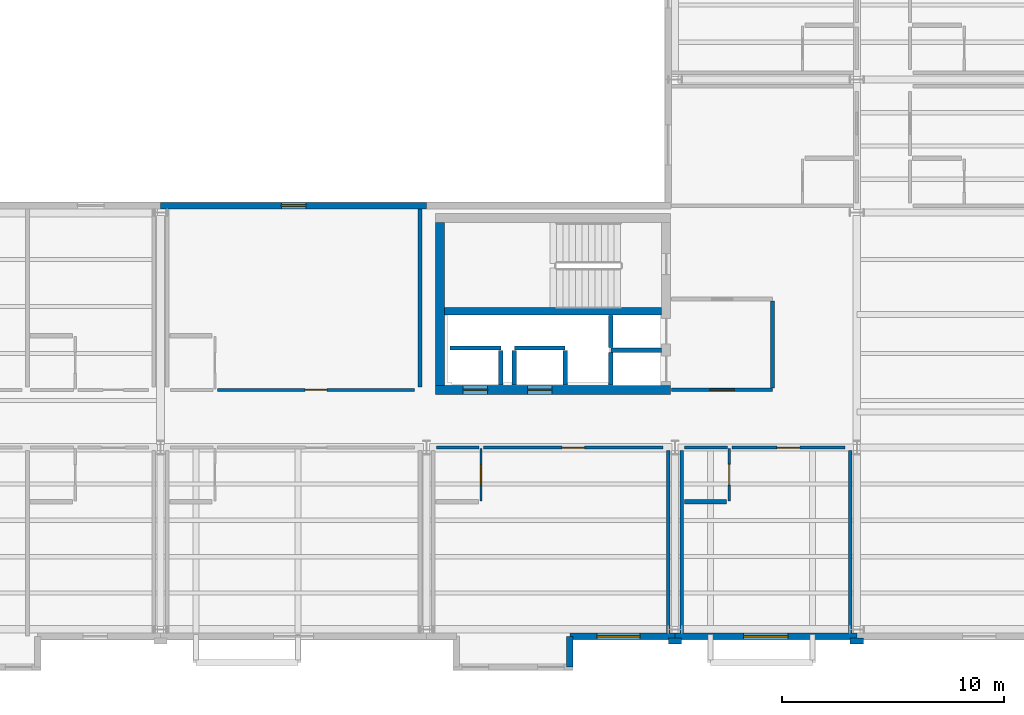
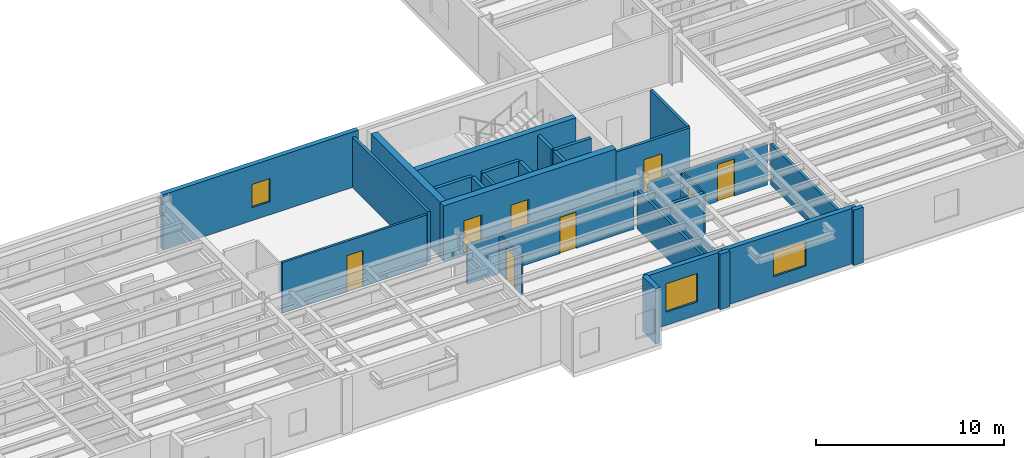
# One storey, part 18 of 27: 31 walls, 8 doors, 3 windows, 11 openings.
"""IFC4 building model written with IfcOpenShell, lengths in metres."""

from ifc_helpers import new_model, si_unit, direction, frame, frame_2d, origin, place, context, subcontext, project, spatial, rectangle, extrude, material, layer, layer_set, type_object, element, fill, save


model = new_model("IFC4")

# Units and contexts
model_context = context("Model", 3, precision=1e-05, world=origin(), true_north=direction((0.0, 1.0)))
body_context = subcontext(model_context, "Body", "Model", "MODEL_VIEW")
ifc_project = project(units=[si_unit("LENGTHUNIT", "METRE"), si_unit("AREAUNIT", "SQUARE_METRE"), si_unit("VOLUMEUNIT", "CUBIC_METRE"), si_unit("PLANEANGLEUNIT", "RADIAN"), si_unit("MASSUNIT", "GRAM", prefix="KILO")], contexts=[model_context])

# Site, building, storey
site_placement = place(None, origin())
site = spatial("IfcSite", under=ifc_project, at=site_placement, CompositionType="ELEMENT")
building_placement = place(site_placement, origin())
building = spatial("IfcBuilding", under=site, at=building_placement, Name="Sollismere Congress Hotel", CompositionType="ELEMENT")
storey_placement = place(building_placement, frame((0.0, 0.0, 27.0)))
storey = spatial("IfcBuildingStorey", under=building, at=storey_placement, Name="L06", CompositionType="ELEMENT", Elevation=27.0)

# Wall, opening, window
ifc_material_1 = material(Name="Colorado Buff Sandstone Rainscreen on Insulated Backup", Category="masonry")
ifc_layer_1 = layer(ifc_material_1, 0.284912109375, Name="Colorado Buff Sandstone Rainscreen on Insulated Backup")
ifc_layer_set_1 = layer_set([ifc_layer_1], Name="Colorado Buff Sandstone Rainscreen on Insulated Backup")
wall_type_1 = type_object("IfcWallType", Name="WL-EXT285", PredefinedType="STANDARD", material=ifc_layer_set_1)
wall_1_placement = place(storey_placement, frame((142.4599609375, -0.31005859375, 0.0), z_axis=(0.0, 0.0, 1.0), x_axis=(1.0, 0.0, 0.0)))
wall_1 = element("IfcWall", 1, at=wall_1_placement, inside=storey, type_object=wall_type_1, Name="Exterior wall EW-L06-686", PredefinedType="STANDARD", context=body_context, shape_type="SweptSolid", body=[
    extrude(rectangle(XDim=4.739990234375, YDim=0.284912109375, at=frame_2d((2.3701171875, 0.0))), origin(), (0.0, 0.0, 1.0), 3.60009765625),
])
opening_1_placement = place(wall_1_placement, frame((1.219970703125, 0.0, 0.85009765625)))
opening_1 = element("IfcOpeningElement", 2, at=opening_1_placement, cuts=wall_1, Name="Opening W-L06-506", PredefinedType="OPENING", context=body_context, shape_type="SweptSolid", body=[
    extrude(rectangle(XDim=1.949951171875, YDim=1.85009765625, at=frame_2d((0.97509765625, 0.925048828125))), frame((0.0, 0.15234375, 0.0), z_axis=(0.0, -1.0, 0.0), x_axis=(1.0, 0.0, 0.0)), (0.0, 0.0, 1.0), 0.304931640625),
])
ifc_material_2 = material(Name="Thermally Broken Bronze Aluminum & Low-E Glass", Category="aluminium")
window_type_1 = type_object("IfcWindowType", Name="WN-P195x185", PartitioningType="SINGLE_PANEL", PredefinedType="WINDOW", material=ifc_material_2)
window_1_placement = place(opening_1_placement, origin())
window_1 = element("IfcWindow", 3, at=window_1_placement, inside=storey, type_object=window_type_1, Name="WIN-W-L06-506", OverallHeight=1.85009765625, OverallWidth=1.949951171875, PartitioningType="SINGLE_PANEL", PredefinedType="WINDOW", context=body_context, shape_type="SweptSolid", body=[
    extrude(rectangle(XDim=1.949951171875, YDim=1.85009765625, at=frame_2d((0.97509765625, 0.925048828125))), frame((0.0, 0.030029296875, 0.0), z_axis=(0.0, -1.0, 0.0), x_axis=(1.0, 0.0, 0.0)), (0.0, 0.0, 1.0), 0.06005859375),
])
fill(opening_1, window_1)

# Wall
wall_2_placement = place(storey_placement, frame((142.4599609375, -1.699951171875, 0.0), z_axis=(0.0, 0.0, 1.0), x_axis=(0.0, 1.0, 0.0)))
element("IfcWall", 4, at=wall_2_placement, inside=storey, type_object=wall_type_1, Name="Exterior wall EW-L06-689", PredefinedType="STANDARD", context=body_context, shape_type="SweptSolid", body=[
    extrude(rectangle(XDim=1.389892578125, YDim=0.284912109375, at=frame_2d((0.69482421875, 0.0))), origin(), (0.0, 0.0, 1.0), 3.60009765625),
])

# Wall, opening, window
wall_3_placement = place(storey_placement, frame((147.199951171875, -0.31005859375, 0.0), z_axis=(0.0, 0.0, 1.0), x_axis=(1.0, 0.0, 0.0)))
wall_3 = element("IfcWall", 5, at=wall_3_placement, inside=storey, type_object=wall_type_1, Name="Exterior wall EW-L06-690", PredefinedType="STANDARD", context=body_context, shape_type="SweptSolid", body=[
    extrude(rectangle(XDim=8.199951171875, YDim=0.284912109375, at=frame_2d((4.10009765625, 0.0))), origin(), (0.0, 0.0, 1.0), 3.60009765625),
])
opening_2_placement = place(wall_3_placement, frame((3.10009765625, 0.0, 0.85009765625)))
opening_2 = element("IfcOpeningElement", 6, at=opening_2_placement, cuts=wall_3, Name="Opening W-L06-509", PredefinedType="OPENING", context=body_context, shape_type="SweptSolid", body=[
    extrude(rectangle(XDim=2.0, YDim=1.64990234375, at=frame_2d((1.0, 0.824951171875))), frame((0.0, 0.15234375, 0.0), z_axis=(0.0, -1.0, 0.0), x_axis=(1.0, 0.0, 0.0)), (0.0, 0.0, 1.0), 0.304931640625),
])
window_type_2 = type_object("IfcWindowType", Name="WN-P200x165", PartitioningType="SINGLE_PANEL", PredefinedType="WINDOW", material=ifc_material_2)
window_2_placement = place(opening_2_placement, origin())
window_2 = element("IfcWindow", 7, at=window_2_placement, inside=storey, type_object=window_type_2, Name="WIN-W-L06-509", OverallHeight=1.64990234375, OverallWidth=2.0, PartitioningType="SINGLE_PANEL", PredefinedType="WINDOW", context=body_context, shape_type="SweptSolid", body=[
    extrude(rectangle(XDim=2.0, YDim=1.64990234375, at=frame_2d((1.0, 0.824951171875))), frame((0.0, 0.030029296875, 0.0), z_axis=(0.0, -1.0, 0.0), x_axis=(1.0, 0.0, 0.0)), (0.0, 0.0, 1.0), 0.06005859375),
])
fill(opening_2, window_2)

wall_4_placement = place(storey_placement, frame((136.0, 19.110107421875, 0.0), z_axis=(0.0, 0.0, 1.0), x_axis=(-1.0, 0.0, 0.0)))
wall_4 = element("IfcWall", 8, at=wall_4_placement, inside=storey, type_object=wall_type_1, Name="Exterior wall EW-L06-726", PredefinedType="STANDARD", context=body_context, shape_type="SweptSolid", body=[
    extrude(rectangle(XDim=12.0, YDim=0.284912109375, at=frame_2d((6.0, 0.0))), origin(), (0.0, 0.0, 1.0), 3.60009765625),
])
opening_3_placement = place(wall_4_placement, frame((5.449951171875, 0.0, 0.85009765625)))
opening_3 = element("IfcOpeningElement", 9, at=opening_3_placement, cuts=wall_4, Name="Opening W-L06-531", PredefinedType="OPENING", context=body_context, shape_type="SweptSolid", body=[
    extrude(rectangle(XDim=1.10009765625, YDim=1.5, at=frame_2d((0.550048828125, 0.75))), frame((0.0, 0.15234375, 0.0), z_axis=(0.0, -1.0, 0.0), x_axis=(1.0, 0.0, 0.0)), (0.0, 0.0, 1.0), 0.304931640625),
])
window_type_3 = type_object("IfcWindowType", Name="WN-P110x150", PartitioningType="SINGLE_PANEL", PredefinedType="WINDOW", material=ifc_material_2)
window_3_placement = place(opening_3_placement, origin())
window_3 = element("IfcWindow", 10, at=window_3_placement, inside=storey, type_object=window_type_3, Name="WIN-W-L06-531", OverallHeight=1.5, OverallWidth=1.10009765625, PartitioningType="SINGLE_PANEL", PredefinedType="WINDOW", context=body_context, shape_type="SweptSolid", body=[
    extrude(rectangle(XDim=1.10009765625, YDim=1.5, at=frame_2d((0.550048828125, 0.75))), frame((0.0, 0.030029296875, 0.0), z_axis=(0.0, -1.0, 0.0), x_axis=(1.0, 0.0, 0.0)), (0.0, 0.0, 1.0), 0.06005859375),
])
fill(opening_3, window_3)

# Walls
ifc_material_3 = material(Name="Carved Travertine Pilaster & Frieze Assembly", Category="masonry")
ifc_layer_2 = layer(ifc_material_3, 0.260009765625, Name="Carved Travertine Pilaster & Frieze Assembly")
ifc_layer_set_2 = layer_set([ifc_layer_2], Name="Carved Travertine Pilaster & Frieze Assembly")
wall_type_2 = type_object("IfcWallType", Name="WL-PIL280", PredefinedType="ELEMENTEDWALL", material=ifc_layer_set_2)
wall_5_placement = place(storey_placement, frame((146.89990234375, -0.52001953125, 0.0), z_axis=(0.0, 0.0, 1.0), x_axis=(1.0, 0.0, 0.0)))
element("IfcWall", 11, at=wall_5_placement, inside=storey, type_object=wall_type_2, Name="Exterior wall EW-L06-691", PredefinedType="ELEMENTEDWALL", context=body_context, shape_type="SweptSolid", body=[
    extrude(rectangle(XDim=0.60009765625, YDim=0.260009765625, at=frame_2d((0.300048828125, 0.0))), origin(), (0.0, 0.0, 1.0), 3.60009765625),
])
wall_6_placement = place(storey_placement, frame((155.10009765625, -0.52001953125, 0.0), z_axis=(0.0, 0.0, 1.0), x_axis=(1.0, 0.0, 0.0)))
element("IfcWall", 12, at=wall_6_placement, inside=storey, type_object=wall_type_2, Name="Exterior wall EW-L06-693", PredefinedType="ELEMENTEDWALL", context=body_context, shape_type="SweptSolid", body=[
    extrude(rectangle(XDim=0.599853515625, YDim=0.260009765625, at=frame_2d((0.2998046875, 0.0))), origin(), (0.0, 0.0, 1.0), 3.60009765625),
])
ifc_material_4 = material(Name="Moisture-Resistant Shaft Gypsum Assembly")
ifc_layer_3 = layer(ifc_material_4, 0.199951171875, Name="Moisture-Resistant Shaft Gypsum Assembly")
ifc_layer_set_3 = layer_set([ifc_layer_3], Name="Moisture-Resistant Shaft Gypsum Assembly")
wall_type_3 = type_object("IfcWallType", Name="WL-PLM200", PredefinedType="PLUMBINGWALL", material=ifc_layer_set_3)
wall_7_placement = place(storey_placement, frame((137.054931640625, 12.68994140625, 0.0), z_axis=(0.0, 0.0, 1.0), x_axis=(1.0, 0.0, 0.0)))
element("IfcWall", 13, at=wall_7_placement, inside=storey, type_object=wall_type_3, Name="Interior wall IW-L06-0118", PredefinedType="PLUMBINGWALL", context=body_context, shape_type="SweptSolid", body=[
    extrude(rectangle(XDim=2.2900390625, YDim=0.199951171875, at=frame_2d((1.14501953125, 0.0))), origin(), (0.0, 0.0, 1.0), 3.2900390625),
])
wall_8_placement = place(storey_placement, frame((139.344970703125, 11.011962890625, 0.0), z_axis=(0.0, 0.0, 1.0), x_axis=(0.0, 1.0, 0.0)))
element("IfcWall", 14, at=wall_8_placement, inside=storey, type_object=wall_type_3, Name="Interior wall IW-L06-0119", PredefinedType="PLUMBINGWALL", context=body_context, shape_type="SweptSolid", body=[
    extrude(rectangle(XDim=1.56591796875, YDim=0.199951171875, at=frame_2d((0.782958984375, 0.0))), origin(), (0.0, 0.0, 1.0), 3.2900390625),
])
wall_9_placement = place(storey_placement, frame((139.955078125, 12.68994140625, 0.0), z_axis=(0.0, 0.0, 1.0), x_axis=(1.0, 0.0, 0.0)))
element("IfcWall", 15, at=wall_9_placement, inside=storey, type_object=wall_type_3, Name="Interior wall IW-L06-0120", PredefinedType="PLUMBINGWALL", context=body_context, shape_type="SweptSolid", body=[
    extrude(rectangle(XDim=2.2900390625, YDim=0.199951171875, at=frame_2d((1.14501953125, 0.0))), origin(), (0.0, 0.0, 1.0), 3.2900390625),
])
for number, where, z_axis, x_axis, name in (
    (16, (139.955078125, 11.011962890625, 0.0), (0.0, 0.0, 1.0), (0.0, 1.0, 0.0), "Interior wall IW-L06-0121"),
    (17, (142.2451171875, 11.011962890625, 0.0), (0.0, 0.0, 1.0), (0.0, 1.0, 0.0), "Interior wall IW-L06-0122"),
):
    element("IfcWall", number, at=place(storey_placement, frame(where, z_axis=z_axis, x_axis=x_axis)), inside=storey, type_object=wall_type_3, Name=name, PredefinedType="PLUMBINGWALL", context=body_context, shape_type="SweptSolid", body=[
        extrude(rectangle(XDim=1.56591796875, YDim=0.199951171875, at=frame_2d((0.782958984375, 0.0))), origin(), (0.0, 0.0, 1.0), 3.2900390625),
    ])
wall_10_placement = place(storey_placement, frame((144.31005859375, 12.594970703125, 0.0), z_axis=(0.0, 0.0, 1.0), x_axis=(1.0, 0.0, 0.0)))
element("IfcWall", 18, at=wall_10_placement, inside=storey, type_object=wall_type_3, Name="Interior wall IW-L06-0123", PredefinedType="PLUMBINGWALL", context=body_context, shape_type="SweptSolid", body=[
    extrude(rectangle(XDim=2.27783203125, YDim=0.199951171875, at=frame_2d((1.138916015625, 0.0))), origin(), (0.0, 0.0, 1.0), 3.2900390625),
])
wall_11_placement = place(storey_placement, frame((144.31005859375, 11.011962890625, 0.0), z_axis=(0.0, 0.0, 1.0), x_axis=(0.0, 1.0, 0.0)))
element("IfcWall", 19, at=wall_11_placement, inside=storey, type_object=wall_type_3, Name="Interior wall IW-L06-0124", PredefinedType="PLUMBINGWALL", context=body_context, shape_type="SweptSolid", body=[
    extrude(rectangle(XDim=1.470947265625, YDim=0.199951171875, at=frame_2d((0.7353515625, 0.0))), origin(), (0.0, 0.0, 1.0), 3.2900390625),
])
wall_12_placement = place(storey_placement, frame((144.31005859375, 12.70703125, 0.0), z_axis=(0.0, 0.0, 1.0), x_axis=(0.0, 1.0, 0.0)))
element("IfcWall", 20, at=wall_12_placement, inside=storey, type_object=wall_type_3, Name="Interior wall IW-L06-0125", PredefinedType="PLUMBINGWALL", context=body_context, shape_type="SweptSolid", body=[
    extrude(rectangle(XDim=1.4560546875, YDim=0.199951171875, at=frame_2d((0.72802734375, 0.0))), origin(), (0.0, 0.0, 1.0), 3.2900390625),
])
wall_13_placement = place(storey_placement, frame((147.6201171875, 5.75, 0.0), z_axis=(0.0, 0.0, 1.0), x_axis=(1.0, 0.0, 0.0)))
element("IfcWall", 21, at=wall_13_placement, inside=storey, type_object=wall_type_3, Name="Interior wall IW-L06-2123", PredefinedType="PLUMBINGWALL", context=body_context, shape_type="SweptSolid", body=[
    extrude(rectangle(XDim=1.909912109375, YDim=0.199951171875, at=frame_2d((0.955078125, 0.0))), origin(), (0.0, 0.0, 1.0), 2.843017578125),
])

# Wall, opening, door
ifc_material_5 = material(Name="Moisture-Resistant Gypsum Partition")
ifc_layer_4 = layer(ifc_material_5, 0.10009765625, Name="Moisture-Resistant Gypsum Partition")
ifc_layer_set_4 = layer_set([ifc_layer_4], Name="Moisture-Resistant Gypsum Partition")
wall_type_4 = type_object("IfcWallType", Name="WL-PRT100", PredefinedType="PARTITIONING", material=ifc_layer_set_4)
wall_14_placement = place(storey_placement, frame((138.449951171875, 5.7900390625, 0.0), z_axis=(0.0, 0.0, 1.0), x_axis=(0.0, 1.0, 0.0)))
wall_14 = element("IfcWall", 22, at=wall_14_placement, inside=storey, type_object=wall_type_4, Name="Interior wall IW-L06-2116", PredefinedType="PARTITIONING", context=body_context, shape_type="SweptSolid", body=[
    extrude(rectangle(XDim=2.369873046875, YDim=0.10009765625, at=frame_2d((1.18505859375, 0.0))), origin(), (0.0, 0.0, 1.0), 2.528076171875),
])
opening_4_placement = place(wall_14_placement, frame((0.73291015625, 0.0, 0.0)))
opening_4 = element("IfcOpeningElement", 23, at=opening_4_placement, cuts=wall_14, Name="Opening D-L06-0747", PredefinedType="OPENING", context=body_context, shape_type="SweptSolid", body=[
    extrude(rectangle(XDim=0.905029296875, YDim=2.10009765625, at=frame_2d((0.45263671875, 1.050048828125))), frame((0.0, 0.06005859375, 0.0), z_axis=(0.0, -1.0, 0.0), x_axis=(1.0, 0.0, 0.0)), (0.0, 0.0, 1.0), 0.1201171875),
])
ifc_material_6 = material(Name="Moisture-Sealed Timber Bathroom Door", Category="wood")
door_type_1 = type_object("IfcDoorType", Name="DR-BT02", OperationType="NOTDEFINED", PredefinedType="DOOR", material=ifc_material_6)
door_1_placement = place(opening_4_placement, origin())
door_1 = element("IfcDoor", 24, at=door_1_placement, inside=storey, type_object=door_type_1, Name="En-suite bathroom door D-L06-0747", OperationType="SINGLE_SWING_RIGHT", OverallHeight=2.10009765625, OverallWidth=0.905029296875, PredefinedType="DOOR", context=body_context, shape_type="SweptSolid", body=[
    extrude(rectangle(XDim=0.905029296875, YDim=2.10009765625, at=frame_2d((0.45263671875, 1.050048828125))), frame((0.0, 0.02490234375, 0.0), z_axis=(0.0, -1.0, 0.0), x_axis=(1.0, 0.0, 0.0)), (0.0, 0.0, 1.0), 0.050048828125),
])
fill(opening_4, door_1)

wall_15_placement = place(storey_placement, frame((149.64990234375, 5.7900390625, 0.0), z_axis=(0.0, 0.0, 1.0), x_axis=(0.0, 1.0, 0.0)))
wall_15 = element("IfcWall", 25, at=wall_15_placement, inside=storey, type_object=wall_type_4, Name="Interior wall IW-L06-2122", PredefinedType="PARTITIONING", context=body_context, shape_type="SweptSolid", body=[
    extrude(rectangle(XDim=2.369873046875, YDim=0.10009765625, at=frame_2d((1.18505859375, 0.0))), origin(), (0.0, 0.0, 1.0), 2.702880859375),
])
opening_5_placement = place(wall_15_placement, frame((0.719970703125, 0.0, 0.0)))
opening_5 = element("IfcOpeningElement", 26, at=opening_5_placement, cuts=wall_15, Name="Opening D-L06-0749", PredefinedType="OPENING", context=body_context, shape_type="SweptSolid", body=[
    extrude(rectangle(XDim=0.929931640625, YDim=2.139892578125, at=frame_2d((0.46484375, 1.06982421875))), frame((0.0, 0.06005859375, 0.0), z_axis=(0.0, -1.0, 0.0), x_axis=(1.0, 0.0, 0.0)), (0.0, 0.0, 1.0), 0.1201171875),
])
door_type_2 = type_object("IfcDoorType", Name="DR-BT03", OperationType="NOTDEFINED", PredefinedType="DOOR", material=ifc_material_6)
door_2_placement = place(opening_5_placement, origin())
door_2 = element("IfcDoor", 27, at=door_2_placement, inside=storey, type_object=door_type_2, Name="En-suite bathroom door D-L06-0749", OperationType="SINGLE_SWING_RIGHT", OverallHeight=2.139892578125, OverallWidth=0.929931640625, PredefinedType="DOOR", context=body_context, shape_type="SweptSolid", body=[
    extrude(rectangle(XDim=0.929931640625, YDim=2.139892578125, at=frame_2d((0.46484375, 1.06982421875))), frame((0.0, 0.02490234375, 0.0), z_axis=(0.0, -1.0, 0.0), x_axis=(1.0, 0.0, 0.0)), (0.0, 0.0, 1.0), 0.050048828125),
])
fill(opening_5, door_2)

ifc_material_7 = material(Name="Fire-Rated Gypsum Partition")
ifc_layer_5 = layer(ifc_material_7, 0.139892578125, Name="Fire-Rated Gypsum Partition")
ifc_layer_set_5 = layer_set([ifc_layer_5], Name="Fire-Rated Gypsum Partition")
wall_type_5 = type_object("IfcWallType", Name="WL-PRT140R", PredefinedType="PARTITIONING", material=ifc_layer_set_5)
wall_16_placement = place(storey_placement, frame((126.570068359375, 10.800048828125, 0.0), z_axis=(0.0, 0.0, 1.0), x_axis=(1.0, 0.0, 0.0)))
wall_16 = element("IfcWall", 28, at=wall_16_placement, inside=storey, type_object=wall_type_5, Name="Interior wall IW-L06-2107", PredefinedType="PARTITIONING", context=body_context, shape_type="SweptSolid", body=[
    extrude(rectangle(XDim=8.889892578125, YDim=0.139892578125, at=frame_2d((4.44482421875, 0.0))), origin(), (0.0, 0.0, 1.0), 3.2900390625),
])
opening_6_placement = place(wall_16_placement, frame((3.955078125, 0.0, 0.0)))
opening_6 = element("IfcOpeningElement", 29, at=opening_6_placement, cuts=wall_16, Name="Opening D-L06-0744", PredefinedType="OPENING", context=body_context, shape_type="SweptSolid", body=[
    extrude(rectangle(XDim=0.97998046875, YDim=2.35009765625, at=frame_2d((0.489990234375, 1.175048828125))), frame((0.0, 0.079833984375, 0.0), z_axis=(0.0, -1.0, 0.0), x_axis=(1.0, 0.0, 0.0)), (0.0, 0.0, 1.0), 0.159912109375),
])
ifc_material_8 = material(Name="Solid-Core Acoustic Walnut Guestroom Entry Door")
door_type_3 = type_object("IfcDoorType", Name="DR-KY09", OperationType="NOTDEFINED", PredefinedType="DOOR", material=ifc_material_8)
door_3_placement = place(opening_6_placement, origin())
door_3 = element("IfcDoor", 30, at=door_3_placement, inside=storey, type_object=door_type_3, Name="Hotel room entry door D-L06-0744", OperationType="SINGLE_SWING_LEFT", OverallHeight=2.35009765625, OverallWidth=0.97998046875, PredefinedType="DOOR", context=body_context, shape_type="SweptSolid", body=[
    extrude(rectangle(XDim=0.97998046875, YDim=2.35009765625, at=frame_2d((0.489990234375, 1.175048828125))), frame((0.0, 0.02490234375, 0.0), z_axis=(0.0, -1.0, 0.0), x_axis=(1.0, 0.0, 0.0)), (0.0, 0.0, 1.0), 0.050048828125),
])
fill(opening_6, door_3)

# Wall
wall_17_placement = place(storey_placement, frame((136.43994140625, 8.199951171875, 0.0), z_axis=(0.0, 0.0, 1.0), x_axis=(1.0, 0.0, 0.0)))
element("IfcWall", 31, at=wall_17_placement, inside=storey, type_object=wall_type_5, Name="Interior wall IW-L06-2112", PredefinedType="PARTITIONING", context=body_context, shape_type="SweptSolid", body=[
    extrude(rectangle(XDim=1.93017578125, YDim=0.139892578125, at=frame_2d((0.965087890625, 0.0))), origin(), (0.0, 0.0, 1.0), 2.528076171875),
])

# Wall, opening, door
wall_18_placement = place(storey_placement, frame((138.570068359375, 8.199951171875, 0.0), z_axis=(0.0, 0.0, 1.0), x_axis=(1.0, 0.0, 0.0)))
wall_18 = element("IfcWall", 32, at=wall_18_placement, inside=storey, type_object=wall_type_5, Name="Interior wall IW-L06-2113", PredefinedType="PARTITIONING", context=body_context, shape_type="SweptSolid", body=[
    extrude(rectangle(XDim=8.08984375, YDim=0.139892578125, at=frame_2d((4.044921875, 0.0))), origin(), (0.0, 0.0, 1.0), 2.528076171875),
])
opening_7_placement = place(wall_18_placement, frame((3.5400390625, 0.0, 0.0)))
opening_7 = element("IfcOpeningElement", 33, at=opening_7_placement, cuts=wall_18, Name="Opening D-L06-0746", PredefinedType="OPENING", context=body_context, shape_type="SweptSolid", body=[
    extrude(rectangle(XDim=1.010009765625, YDim=2.35009765625, at=frame_2d((0.5048828125, 1.175048828125))), frame((0.0, 0.079833984375, 0.0), z_axis=(0.0, -1.0, 0.0), x_axis=(1.0, 0.0, 0.0)), (0.0, 0.0, 1.0), 0.159912109375),
])
door_type_4 = type_object("IfcDoorType", Name="DR-KY10", OperationType="NOTDEFINED", PredefinedType="DOOR", material=ifc_material_8)
door_4_placement = place(opening_7_placement, origin())
door_4 = element("IfcDoor", 34, at=door_4_placement, inside=storey, type_object=door_type_4, Name="Hotel room entry door D-L06-0746", OperationType="SINGLE_SWING_LEFT", OverallHeight=2.35009765625, OverallWidth=1.010009765625, PredefinedType="DOOR", context=body_context, shape_type="SweptSolid", body=[
    extrude(rectangle(XDim=1.010009765625, YDim=2.35009765625, at=frame_2d((0.5048828125, 1.175048828125))), frame((0.0, 0.02490234375, 0.0), z_axis=(0.0, -1.0, 0.0), x_axis=(1.0, 0.0, 0.0)), (0.0, 0.0, 1.0), 0.050048828125),
])
fill(opening_7, door_4)

# Wall
wall_19_placement = place(storey_placement, frame((147.639892578125, 8.199951171875, 0.0), z_axis=(0.0, 0.0, 1.0), x_axis=(1.0, 0.0, 0.0)))
element("IfcWall", 35, at=wall_19_placement, inside=storey, type_object=wall_type_5, Name="Interior wall IW-L06-2118", PredefinedType="PARTITIONING", context=body_context, shape_type="SweptSolid", body=[
    extrude(rectangle(XDim=1.93017578125, YDim=0.139892578125, at=frame_2d((0.965087890625, 0.0))), origin(), (0.0, 0.0, 1.0), 2.702880859375),
])

# Wall, opening, door
wall_20_placement = place(storey_placement, frame((149.77001953125, 8.199951171875, 0.0), z_axis=(0.0, 0.0, 1.0), x_axis=(1.0, 0.0, 0.0)))
wall_20 = element("IfcWall", 36, at=wall_20_placement, inside=storey, type_object=wall_type_5, Name="Interior wall IW-L06-2119", PredefinedType="PARTITIONING", context=body_context, shape_type="SweptSolid", body=[
    extrude(rectangle(XDim=5.090087890625, YDim=0.139892578125, at=frame_2d((2.544921875, 0.0))), origin(), (0.0, 0.0, 1.0), 2.702880859375),
])
opening_8_placement = place(wall_20_placement, frame((2.02490234375, 0.0, 0.0)))
opening_8 = element("IfcOpeningElement", 37, at=opening_8_placement, cuts=wall_20, Name="Opening D-L06-0748", PredefinedType="OPENING", context=body_context, shape_type="SweptSolid", body=[
    extrude(rectangle(XDim=1.0400390625, YDim=2.39990234375, at=frame_2d((0.52001953125, 1.199951171875))), frame((0.0, 0.079833984375, 0.0), z_axis=(0.0, -1.0, 0.0), x_axis=(1.0, 0.0, 0.0)), (0.0, 0.0, 1.0), 0.159912109375),
])
door_type_5 = type_object("IfcDoorType", Name="DR-KY11", OperationType="NOTDEFINED", PredefinedType="DOOR", material=ifc_material_8)
door_5_placement = place(opening_8_placement, origin())
door_5 = element("IfcDoor", 38, at=door_5_placement, inside=storey, type_object=door_type_5, Name="Hotel room entry door D-L06-0748", OperationType="SINGLE_SWING_LEFT", OverallHeight=2.39990234375, OverallWidth=1.0400390625, PredefinedType="DOOR", context=body_context, shape_type="SweptSolid", body=[
    extrude(rectangle(XDim=1.0400390625, YDim=2.39990234375, at=frame_2d((0.52001953125, 1.199951171875))), frame((0.0, 0.02490234375, 0.0), z_axis=(0.0, -1.0, 0.0), x_axis=(1.0, 0.0, 0.0)), (0.0, 0.0, 1.0), 0.050048828125),
])
fill(opening_8, door_5)

ifc_material_9 = material(Name="Fire-Rated Acoustic Gypsum Partition")
ifc_layer_6 = layer(ifc_material_9, 0.1650390625, Name="Fire-Rated Acoustic Gypsum Partition")
ifc_layer_set_6 = layer_set([ifc_layer_6], Name="Fire-Rated Acoustic Gypsum Partition")
wall_type_6 = type_object("IfcWallType", Name="WL-PRT165R", PredefinedType="PARTITIONING", material=ifc_layer_set_6)
wall_21_placement = place(storey_placement, frame((147.050048828125, 10.800048828125, 0.0), z_axis=(0.0, 0.0, 1.0), x_axis=(1.0, 0.0, 0.0)))
wall_21 = element("IfcWall", 39, at=wall_21_placement, inside=storey, type_object=wall_type_6, Name="Interior wall IW-L06-0126", PredefinedType="PARTITIONING", context=body_context, shape_type="SweptSolid", body=[
    extrude(rectangle(XDim=4.550048828125, YDim=0.1650390625, at=frame_2d((2.27490234375, 0.0))), origin(), (0.0, 0.0, 1.0), 3.2900390625),
])
opening_9_placement = place(wall_21_placement, frame((1.72509765625, 0.0, 0.0)))
opening_9 = element("IfcOpeningElement", 40, at=opening_9_placement, cuts=wall_21, Name="Opening D-FFL-L06", PredefinedType="OPENING", context=body_context, shape_type="SweptSolid", body=[
    extrude(rectangle(XDim=1.10009765625, YDim=2.199951171875, at=frame_2d((0.550048828125, 1.10009765625))), frame((0.0, 0.092529296875, 0.0), z_axis=(0.0, -1.0, 0.0), x_axis=(1.0, 0.0, 0.0)), (0.0, 0.0, 1.0), 0.18505859375),
])
ifc_material_10 = material(Name="Smoke-Barrier Rated Timber-Clad Steel Door", Category="steel")
door_type_6 = type_object("IfcDoorType", Name="DR-FFL110", OperationType="NOTDEFINED", PredefinedType="DOOR", material=ifc_material_10)
door_6_placement = place(opening_9_placement, origin())
door_6 = element("IfcDoor", 41, at=door_6_placement, inside=storey, type_object=door_type_6, Name="Firefighting lobby smoke door D-FFL-L06", OperationType="SINGLE_SWING_LEFT", OverallHeight=2.199951171875, OverallWidth=1.10009765625, PredefinedType="DOOR", context=body_context, shape_type="SweptSolid", body=[
    extrude(rectangle(XDim=1.10009765625, YDim=2.199951171875, at=frame_2d((0.550048828125, 1.10009765625))), frame((0.0, 0.02490234375, 0.0), z_axis=(0.0, -1.0, 0.0), x_axis=(1.0, 0.0, 0.0)), (0.0, 0.0, 1.0), 0.050048828125),
])
fill(opening_9, door_6)

# Walls
wall_22_placement = place(storey_placement, frame((151.60009765625, 10.89453125, 0.0), z_axis=(0.0, 0.0, 1.0), x_axis=(0.0, 1.0, 0.0)))
element("IfcWall", 42, at=wall_22_placement, inside=storey, type_object=wall_type_6, Name="Interior wall IW-L06-0128", PredefinedType="PARTITIONING", context=body_context, shape_type="SweptSolid", body=[
    extrude(rectangle(XDim=3.910888671875, YDim=0.1650390625, at=frame_2d((1.95556640625, 0.0))), origin(), (0.0, 0.0, 1.0), 3.2900390625),
])
wall_23_placement = place(storey_placement, frame((135.699951171875, 10.93994140625, 0.0), z_axis=(0.0, 0.0, 1.0), x_axis=(0.0, 1.0, 0.0)))
element("IfcWall", 43, at=wall_23_placement, inside=storey, type_object=wall_type_6, Name="Interior wall IW-L06-2109", PredefinedType="PARTITIONING", context=body_context, shape_type="SweptSolid", body=[
    extrude(rectangle(XDim=8.012451171875, YDim=0.1650390625, at=frame_2d((4.00634765625, 0.0))), origin(), (0.0, 0.0, 1.0), 3.2900390625),
])
wall_24_placement = place(storey_placement, frame((146.89990234375, -0.152587890625, 0.0), z_axis=(0.0, 0.0, 1.0), x_axis=(0.0, 1.0, 0.0)))
element("IfcWall", 44, at=wall_24_placement, inside=storey, type_object=wall_type_6, Name="Interior wall IW-L06-2115", PredefinedType="PARTITIONING", context=body_context, shape_type="SweptSolid", body=[
    extrude(rectangle(XDim=8.212646484375, YDim=0.1650390625, at=frame_2d((4.1064453125, 0.0))), origin(), (0.0, 0.0, 1.0), 2.528076171875),
])
for number, where, z_axis, x_axis, name in (
    (45, (147.5, -0.152587890625, 0.0), (0.0, 0.0, 1.0), (0.0, 1.0, 0.0), "Interior wall IW-L06-2120"),
    (46, (155.10009765625, -0.152587890625, 0.0), (0.0, 0.0, 1.0), (0.0, 1.0, 0.0), "Interior wall IW-L06-2121"),
):
    element("IfcWall", number, at=place(storey_placement, frame(where, z_axis=z_axis, x_axis=x_axis)), inside=storey, type_object=wall_type_6, Name=name, PredefinedType="PARTITIONING", context=body_context, shape_type="SweptSolid", body=[
        extrude(rectangle(XDim=8.212646484375, YDim=0.1650390625, at=frame_2d((4.1064453125, 0.0))), origin(), (0.0, 0.0, 1.0), 2.679931640625),
    ])
ifc_material_11 = material(Name="Concrete C50/60", Category="concrete")
ifc_layer_7 = layer(ifc_material_11, 0.35009765625, Name="Concrete C50/60")
ifc_layer_set_7 = layer_set([ifc_layer_7], Name="Concrete C50/60")
wall_type_7 = type_object("IfcWallType", Name="WL-SHR350", PredefinedType="SHEAR", material=ifc_layer_set_7)
wall_25_placement = place(storey_placement, frame((136.800048828125, 14.35009765625, 0.0), z_axis=(0.0, 0.0, 1.0), x_axis=(1.0, 0.0, 0.0)))
element("IfcWall", 47, at=wall_25_placement, inside=storey, type_object=wall_type_7, Name="Interior wall IW-L06-0117", PredefinedType="SHEAR", context=body_context, shape_type="SweptSolid", body=[
    extrude(rectangle(XDim=9.800048828125, YDim=0.35009765625, at=frame_2d((4.89990234375, 0.0))), origin(), (0.0, 0.0, 1.0), 3.60009765625),
])

# Wall, openings, doors
ifc_layer_8 = layer(ifc_material_11, 0.39990234375, Name="Concrete C50/60")
ifc_layer_set_8 = layer_set([ifc_layer_8], Name="Concrete C50/60")
wall_type_8 = type_object("IfcWallType", Name="WL-SHR400", PredefinedType="SHEAR", material=ifc_layer_set_8)
wall_26_placement = place(storey_placement, frame((136.39990234375, 10.800048828125, 0.0), z_axis=(0.0, 0.0, 1.0), x_axis=(1.0, 0.0, 0.0)))
wall_26 = element("IfcWall", 48, at=wall_26_placement, inside=storey, type_object=wall_type_8, Name="Interior wall IW-L06-0113", PredefinedType="SHEAR", context=body_context, shape_type="SweptSolid", body=[
    extrude(rectangle(XDim=10.60009765625, YDim=0.39990234375, at=frame_2d((5.300048828125, 0.0))), origin(), (0.0, 0.0, 1.0), 3.60009765625),
])
opening_10_placement = place(wall_26_placement, frame((1.25, 0.0, 0.0)))
opening_10 = element("IfcOpeningElement", 49, at=opening_10_placement, cuts=wall_26, Name="Opening LD-LP-01-L06", PredefinedType="OPENING", context=body_context, shape_type="SweptSolid", body=[
    extrude(rectangle(XDim=1.10009765625, YDim=2.199951171875, at=frame_2d((0.550048828125, 1.10009765625))), frame((0.0, 0.2099609375, 0.0), z_axis=(0.0, -1.0, 0.0), x_axis=(1.0, 0.0, 0.0)), (0.0, 0.0, 1.0), 0.419921875),
])
opening_11_placement = place(wall_26_placement, frame((4.14990234375, 0.0, 0.0)))
opening_11 = element("IfcOpeningElement", 50, at=opening_11_placement, cuts=wall_26, Name="Opening LD-LP-02-L06", PredefinedType="OPENING", context=body_context, shape_type="SweptSolid", body=[
    extrude(rectangle(XDim=1.10009765625, YDim=2.199951171875, at=frame_2d((0.550048828125, 1.10009765625))), frame((0.0, 0.2099609375, 0.0), z_axis=(0.0, -1.0, 0.0), x_axis=(1.0, 0.0, 0.0)), (0.0, 0.0, 1.0), 0.419921875),
])
ifc_material_12 = material(Name="Brushed Bronze Sliding Elevator Landing Door")
door_type_7 = type_object("IfcDoorType", Name="DR-LD110", OperationType="NOTDEFINED", PredefinedType="DOOR", material=ifc_material_12)
door_7_placement = place(opening_10_placement, origin())
door_7 = element("IfcDoor", 51, at=door_7_placement, inside=storey, type_object=door_type_7, Name="Elevator landing door LD-LP-01-L06", OperationType="SLIDING_TO_LEFT", OverallHeight=2.199951171875, OverallWidth=1.10009765625, PredefinedType="DOOR", context=body_context, shape_type="SweptSolid", body=[
    extrude(rectangle(XDim=1.10009765625, YDim=2.199951171875, at=frame_2d((0.550048828125, 1.10009765625))), frame((0.0, 0.02490234375, 0.0), z_axis=(0.0, -1.0, 0.0), x_axis=(1.0, 0.0, 0.0)), (0.0, 0.0, 1.0), 0.050048828125),
])
fill(opening_10, door_7)
door_8_placement = place(opening_11_placement, origin())
door_8 = element("IfcDoor", 52, at=door_8_placement, inside=storey, type_object=door_type_7, Name="Elevator landing door LD-LP-02-L06", OperationType="SLIDING_TO_RIGHT", OverallHeight=2.199951171875, OverallWidth=1.10009765625, PredefinedType="DOOR", context=body_context, shape_type="SweptSolid", body=[
    extrude(rectangle(XDim=1.10009765625, YDim=2.199951171875, at=frame_2d((0.550048828125, 1.10009765625))), frame((0.0, 0.02490234375, 0.0), z_axis=(0.0, -1.0, 0.0), x_axis=(1.0, 0.0, 0.0)), (0.0, 0.0, 1.0), 0.050048828125),
])
fill(opening_11, door_8)

# Wall
wall_27_placement = place(storey_placement, frame((136.60009765625, 18.35009765625, 0.0), z_axis=(0.0, 0.0, 1.0), x_axis=(0.0, -1.0, 0.0)))
element("IfcWall", 53, at=wall_27_placement, inside=storey, type_object=wall_type_8, Name="Interior wall IW-L06-0115", PredefinedType="SHEAR", context=body_context, shape_type="SweptSolid", body=[
    extrude(rectangle(XDim=7.35009765625, YDim=0.39990234375, at=frame_2d((3.675048828125, 0.0))), origin(), (0.0, 0.0, 1.0), 3.60009765625),
])

save(model, "model.ifc")
